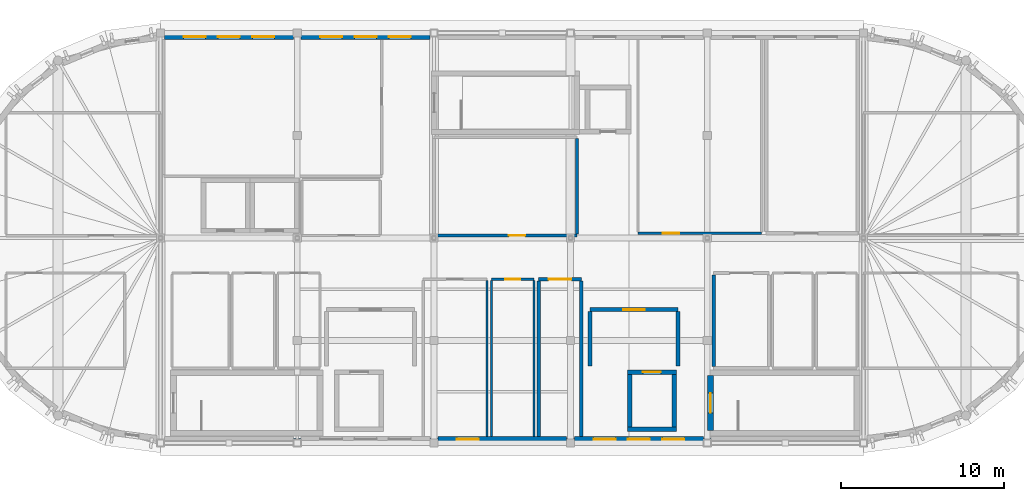
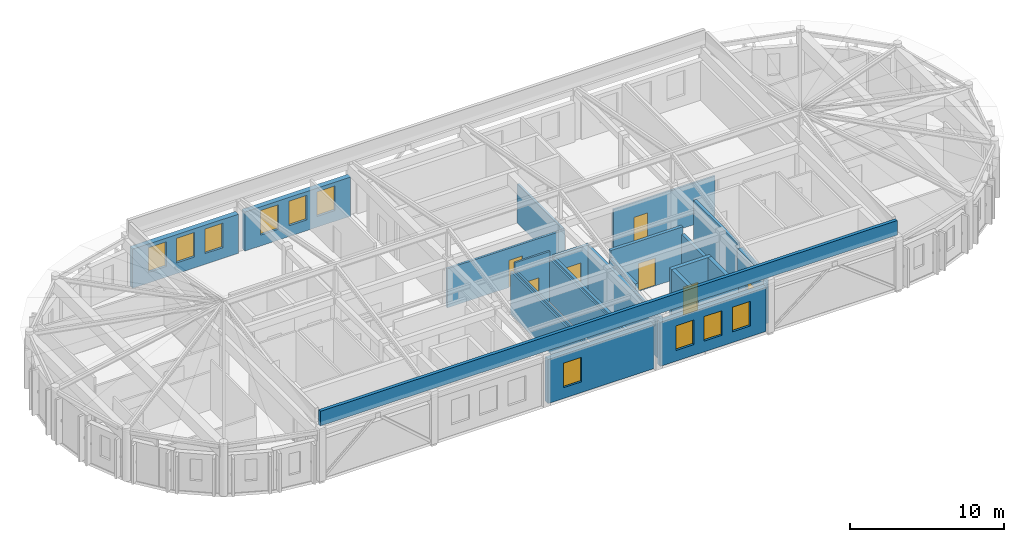
# One storey, part 8 of 11: 24 walls, 10 windows, 7 doors, 17 openings.
"""IFC4 building model written with IfcOpenShell, lengths in metres."""

from ifc_helpers import new_model, si_unit, direction, frame, frame_2d, origin, place, context, subcontext, project, spatial, rectangle, extrude, material, layer, layer_set, type_object, element, fill, save


model = new_model("IFC4")

# Units and contexts
model_context = context("Model", 3, precision=1e-05, world=origin(), true_north=direction((0.0, 1.0)))
body_context = subcontext(model_context, "Body", "Model", "MODEL_VIEW")
ifc_project = project(units=[si_unit("LENGTHUNIT", "METRE"), si_unit("AREAUNIT", "SQUARE_METRE"), si_unit("VOLUMEUNIT", "CUBIC_METRE"), si_unit("PLANEANGLEUNIT", "RADIAN"), si_unit("MASSUNIT", "GRAM", prefix="KILO")], contexts=[model_context])

# Site, building, storey
site_placement = place(None, origin())
site = spatial("IfcSite", under=ifc_project, at=site_placement, CompositionType="ELEMENT")
building_placement = place(site_placement, origin())
building = spatial("IfcBuilding", under=site, at=building_placement, Name="Tarnavel Promenade Courthouse", CompositionType="ELEMENT")
storey_placement = place(building_placement, frame((0.0, 0.0, 35.39990234375)))
storey = spatial("IfcBuildingStorey", under=building, at=storey_placement, Name="L09", CompositionType="ELEMENT", Elevation=35.39990234375)

# Wall, opening, door
ifc_material_1 = material(Name="Acoustic Insulated Gypsum Stud Partition", Category="gypsum")
ifc_layer_1 = layer(ifc_material_1, 0.1650390625)
ifc_layer_set_1 = layer_set([ifc_layer_1], Name="Acoustic Insulated Gypsum Stud Partition")
wall_type_1 = type_object("IfcWallType", Name="Acoustic Insulated Gypsum Stud Partition WL-CHM-165 (165 mm)", PredefinedType="PARTITIONING", material=ifc_layer_set_1)
wall_1_placement = place(storey_placement, frame((84.39990234375, 91.949951171875, 0.0), z_axis=(0.0, 0.0, 1.0), x_axis=(-1.0, 0.0, 0.0)))
wall_1 = element("IfcWall", 1, at=wall_1_placement, inside=storey, type_object=wall_type_1, Name="L09 L09 Judicial Panel Deliberation Salon Partition 1027", PredefinedType="PARTITIONING", context=body_context, shape_type="SweptSolid", body=[
    extrude(rectangle(XDim=8.7998046875, YDim=0.1650390625, at=frame_2d((4.39990234375, 0.0))), origin(), (0.0, 0.0, 1.0), 3.09521484375),
])
opening_1_placement = place(wall_1_placement, frame((3.18994140625, 0.0, 0.0)))
opening_1 = element("IfcOpeningElement", 2, at=opening_1_placement, cuts=wall_1, Name="Opening ID-03", PredefinedType="OPENING", context=body_context, shape_type="SweptSolid", body=[
    extrude(rectangle(XDim=1.0, YDim=2.14990234375, at=frame_2d((0.5, 1.074951171875))), frame((0.0, 0.092529296875, 0.0), z_axis=(0.0, -1.0, 0.0), x_axis=(1.0, 0.0, 0.0)), (0.0, 0.0, 1.0), 0.18505859375),
])
ifc_material_2 = material(Name="Acoustic Solid-Core Oak Jury Room Door")
door_type_1 = type_object("IfcDoorType", Name="Acoustic Solid-Core Oak Jury Room Door (DR-JRY-1000x2150)", OperationType="NOTDEFINED", PredefinedType="DOOR", material=ifc_material_2)
door_1_placement = place(opening_1_placement, origin())
door_1 = element("IfcDoor", 3, at=door_1_placement, inside=storey, type_object=door_type_1, Name="L09 L09 Judicial Panel Deliberation Salon Door 0292", OperationType="SINGLE_SWING_LEFT", OverallHeight=2.14990234375, OverallWidth=1.0, PredefinedType="DOOR", context=body_context, shape_type="SweptSolid", body=[
    extrude(rectangle(XDim=1.0, YDim=2.14990234375, at=frame_2d((0.5, 1.074951171875))), frame((0.0, 0.02490234375, 0.0), z_axis=(0.0, -1.0, 0.0), x_axis=(1.0, 0.0, 0.0)), (0.0, 0.0, 1.0), 0.050048828125),
])
fill(opening_1, door_1)

# Wall
wall_2_placement = place(storey_placement, frame((84.39990234375, 97.907470703125, 0.0), z_axis=(0.0, 0.0, 1.0), x_axis=(0.0, -1.0, 0.0)))
element("IfcWall", 4, at=wall_2_placement, inside=storey, type_object=wall_type_1, Name="L09 L09 Judicial Panel Deliberation Salon Partition 1029", PredefinedType="PARTITIONING", context=body_context, shape_type="SweptSolid", body=[
    extrude(rectangle(XDim=5.864990234375, YDim=0.1650390625, at=frame_2d((2.9326171875, 0.0))), origin(), (0.0, 0.0, 1.0), 3.09521484375),
])

# Wall, opening, door
ifc_material_3 = material(Name="Concrete C40/50", Category="concrete")
ifc_layer_2 = layer(ifc_material_3, 0.280029296875)
ifc_layer_set_2 = layer_set([ifc_layer_2], Name="Concrete C40/50")
wall_type_2 = type_object("IfcWallType", Name="Concrete C40/50 WL-SHR-280 (280 mm)", PredefinedType="SHEAR", material=ifc_layer_set_2)
wall_3_placement = place(storey_placement, frame((87.5, 83.56005859375, 0.0), z_axis=(0.0, 0.0, 1.0), x_axis=(1.0, 0.0, 0.0)))
wall_3 = element("IfcWall", 5, at=wall_3_placement, inside=storey, type_object=wall_type_2, Name="L09 L-FF2 Lift Shaft North Wall", PredefinedType="SHEAR", context=body_context, shape_type="SweptSolid", body=[
    extrude(rectangle(XDim=3.0, YDim=0.280029296875, at=frame_2d((1.5, 0.0))), origin(), (0.0, 0.0, 1.0), 3.97998046875),
])
opening_2_placement = place(wall_3_placement, frame((0.949951171875, 0.0, 0.0)))
opening_2 = element("IfcOpeningElement", 6, at=opening_2_placement, cuts=wall_3, Name="Opening LD-01", PredefinedType="OPENING", context=body_context, shape_type="SweptSolid", body=[
    extrude(rectangle(XDim=1.10009765625, YDim=2.199951171875, at=frame_2d((0.550048828125, 1.10009765625))), frame((0.0, 0.14990234375, 0.0), z_axis=(0.0, -1.0, 0.0), x_axis=(1.0, 0.0, 0.0)), (0.0, 0.0, 1.0), 0.300048828125),
])
ifc_material_4 = material(Name="Stainless Steel Firefighting Lift Landing Sliding Door", Category="steel")
door_type_2 = type_object("IfcDoorType", Name="Stainless Steel Firefighting Lift Landing Sliding Door (LD-FF-1100x2200)", OperationType="NOTDEFINED", PredefinedType="DOOR", material=ifc_material_4)
door_2_placement = place(opening_2_placement, origin())
door_2 = element("IfcDoor", 7, at=door_2_placement, inside=storey, type_object=door_type_2, Name="L09 L-FF2 Lift Sliding Landing Door", OperationType="DOUBLE_DOOR_SLIDING", OverallHeight=2.199951171875, OverallWidth=1.10009765625, PredefinedType="DOOR", context=body_context, shape_type="SweptSolid", body=[
    extrude(rectangle(XDim=1.10009765625, YDim=2.199951171875, at=frame_2d((0.550048828125, 1.10009765625))), frame((0.0, 0.02490234375, 0.0), z_axis=(0.0, -1.0, 0.0), x_axis=(1.0, 0.0, 0.0)), (0.0, 0.0, 1.0), 0.050048828125),
])
fill(opening_2, door_2)

# Walls
wall_4_placement = place(storey_placement, frame((90.5, 80.0400390625, 0.0), z_axis=(0.0, 0.0, 1.0), x_axis=(-1.0, 0.0, 0.0)))
element("IfcWall", 8, at=wall_4_placement, inside=storey, type_object=wall_type_2, Name="L09 L-FF2 Lift Shaft South Wall", PredefinedType="SHEAR", context=body_context, shape_type="SweptSolid", body=[
    extrude(rectangle(XDim=3.0, YDim=0.280029296875, at=frame_2d((1.5, 0.0))), origin(), (0.0, 0.0, 1.0), 3.97998046875),
])
for number, where, z_axis, x_axis, name in (
    (9, (87.639892578125, 80.179931640625, 0.0), (0.0, 0.0, 1.0), (0.0, 1.0, 0.0), "L09 L-FF2 Lift Shaft West Wall"),
    (10, (90.360107421875, 83.419921875, 0.0), (0.0, 0.0, 1.0), (0.0, -1.0, 0.0), "L09 L-FF2 Lift Shaft East Wall"),
):
    element("IfcWall", number, at=place(storey_placement, frame(where, z_axis=z_axis, x_axis=x_axis)), inside=storey, type_object=wall_type_2, Name=name, PredefinedType="SHEAR", context=body_context, shape_type="SweptSolid", body=[
        extrude(rectangle(XDim=3.239990234375, YDim=0.280029296875, at=frame_2d((1.6201171875, 0.0))), origin(), (0.0, 0.0, 1.0), 3.97998046875),
    ])

# Wall, opening, door
ifc_layer_3 = layer(ifc_material_3, 0.360107421875)
ifc_layer_set_3 = layer_set([ifc_layer_3], Name="Concrete C40/50")
wall_type_3 = type_object("IfcWallType", Name="Concrete C40/50 WL-SHR-360 (360 mm)", PredefinedType="SHEAR", material=ifc_layer_set_3)
wall_5_placement = place(storey_placement, frame((92.60009765625, 79.97998046875, 0.0), z_axis=(0.0, 0.0, 1.0), x_axis=(0.0, 1.0, 0.0)))
wall_5 = element("IfcWall", 11, at=wall_5_placement, inside=storey, type_object=wall_type_3, Name="L09 ST-02 Shear Core West Landing Wall", PredefinedType="SHEAR", context=body_context, shape_type="SweptSolid", body=[
    extrude(rectangle(XDim=3.360107421875, YDim=0.360107421875, at=frame_2d((1.68017578125, 0.0))), origin(), (0.0, 0.0, 1.0), 3.97998046875),
])
opening_3_placement = place(wall_5_placement, frame((1.080078125, 0.0, 0.0)))
opening_3 = element("IfcOpeningElement", 12, at=opening_3_placement, cuts=wall_5, Name="Opening FD-02", PredefinedType="OPENING", context=body_context, shape_type="SweptSolid", body=[
    extrude(rectangle(XDim=1.199951171875, YDim=2.199951171875, at=frame_2d((0.60009765625, 1.10009765625))), frame((0.0, 0.18994140625, 0.0), z_axis=(0.0, -1.0, 0.0), x_axis=(1.0, 0.0, 0.0)), (0.0, 0.0, 1.0), 0.380126953125),
])
ifc_material_5 = material(Name="Steel Fire-Rated Firefighting Stair Door", Category="steel")
door_type_3 = type_object("IfcDoorType", Name="Steel Fire-Rated Firefighting Stair Door (DR-ST-1200x2200)", OperationType="NOTDEFINED", PredefinedType="DOOR", material=ifc_material_5)
door_3_placement = place(opening_3_placement, origin())
door_3 = element("IfcDoor", 13, at=door_3_placement, inside=storey, type_object=door_type_3, Name="L09 ST-02 Protected Exit Stair Door", OperationType="SINGLE_SWING_LEFT", OverallHeight=2.199951171875, OverallWidth=1.199951171875, PredefinedType="DOOR", context=body_context, shape_type="SweptSolid", body=[
    extrude(rectangle(XDim=1.199951171875, YDim=2.199951171875, at=frame_2d((0.60009765625, 1.10009765625))), frame((0.0, 0.02490234375, 0.0), z_axis=(0.0, -1.0, 0.0), x_axis=(1.0, 0.0, 0.0)), (0.0, 0.0, 1.0), 0.050048828125),
])
fill(opening_3, door_3)

# Wall
ifc_material_6 = material(Name="Concrete Masonry Fire Compartment Wall", Category="masonry")
ifc_layer_4 = layer(ifc_material_6, 0.205078125)
ifc_layer_set_4 = layer_set([ifc_layer_4], Name="Concrete Masonry Fire Compartment Wall")
wall_type_4 = type_object("IfcWallType", Name="Concrete Masonry Fire Compartment Wall WL-CMP-205 (205 mm)", PredefinedType="STANDARD", material=ifc_layer_set_4)
wall_6_placement = place(storey_placement, frame((92.800048828125, 83.91259765625, 0.0), z_axis=(0.0, 0.0, 1.0), x_axis=(0.0, 1.0, 0.0)))
element("IfcWall", 14, at=wall_6_placement, inside=storey, type_object=wall_type_4, Name="L09 L09 Court Transcript Records Room Partition 1017", PredefinedType="STANDARD", context=body_context, shape_type="SweptSolid", body=[
    extrude(rectangle(XDim=5.625, YDim=0.205078125, at=frame_2d((2.8125, 0.0))), origin(), (0.0, 0.0, 1.0), 3.9501953125),
])

# Wall, opening, door
wall_7_placement = place(storey_placement, frame((82.037109375, 89.260009765625, 0.0), z_axis=(0.0, 0.0, 1.0), x_axis=(1.0, 0.0, 0.0)))
wall_7 = element("IfcWall", 15, at=wall_7_placement, inside=storey, type_object=wall_type_4, Name="L09 Upper Heat-Recovery Plant Room East Partition 1042", PredefinedType="STANDARD", context=body_context, shape_type="SweptSolid", body=[
    extrude(rectangle(XDim=2.622802734375, YDim=0.205078125, at=frame_2d((1.3115234375, 0.0))), origin(), (0.0, 0.0, 1.0), 3.4951171875),
])
opening_4_placement = place(wall_7_placement, frame((0.611572265625, 0.0, 0.0)))
opening_4 = element("IfcOpeningElement", 16, at=opening_4_placement, cuts=wall_7, Name="Opening FD-04", PredefinedType="OPENING", context=body_context, shape_type="SweptSolid", body=[
    extrude(rectangle(XDim=1.39990234375, YDim=2.25, at=frame_2d((0.699951171875, 1.125))), frame((0.0, 0.112548828125, 0.0), z_axis=(0.0, -1.0, 0.0), x_axis=(1.0, 0.0, 0.0)), (0.0, 0.0, 1.0), 0.22509765625),
])
ifc_material_7 = material(Name="Heavy Steel Plant Room Fire Door", Category="steel")
door_type_4 = type_object("IfcDoorType", Name="Heavy Steel Plant Room Fire Door (DR-PLT-1400x2250)", OperationType="NOTDEFINED", PredefinedType="DOOR", material=ifc_material_7)
door_4_placement = place(opening_4_placement, origin())
door_4 = element("IfcDoor", 17, at=door_4_placement, inside=storey, type_object=door_type_4, Name="L09 Upper Heat-Recovery Plant Room East Door 0297", OperationType="SINGLE_SWING_RIGHT", OverallHeight=2.25, OverallWidth=1.39990234375, PredefinedType="DOOR", context=body_context, shape_type="SweptSolid", body=[
    extrude(rectangle(XDim=1.39990234375, YDim=2.25, at=frame_2d((0.699951171875, 1.125))), frame((0.0, 0.02490234375, 0.0), z_axis=(0.0, -1.0, 0.0), x_axis=(1.0, 0.0, 0.0)), (0.0, 0.0, 1.0), 0.050048828125),
])
fill(opening_4, door_4)

# Walls
for number, where, z_axis, x_axis, name in (
    (18, (82.037109375, 79.60400390625, 0.0), (0.0, 0.0, 1.0), (0.0, 1.0, 0.0), "L09 Upper Heat-Recovery Plant Room East Partition 1043"),
    (19, (84.659912109375, 89.1474609375, 0.0), (0.0, 0.0, 1.0), (0.0, -1.0, 0.0), "L09 Upper Heat-Recovery Plant Room East Partition 1044"),
):
    element("IfcWall", number, at=place(storey_placement, frame(where, z_axis=z_axis, x_axis=x_axis)), inside=storey, type_object=wall_type_4, Name=name, PredefinedType="STANDARD", context=body_context, shape_type="SweptSolid", body=[
        extrude(rectangle(XDim=9.54345703125, YDim=0.205078125, at=frame_2d((4.771728515625, 0.0))), origin(), (0.0, 0.0, 1.0), 3.39501953125),
    ])

# Wall, opening, door
ifc_layer_5 = layer(ifc_material_6, 0.22998046875)
ifc_layer_set_5 = layer_set([ifc_layer_5], Name="Concrete Masonry Fire Compartment Wall")
wall_type_5 = type_object("IfcWallType", Name="Concrete Masonry Fire Compartment Wall WL-CMP-230 (230 mm)", PredefinedType="STANDARD", material=ifc_layer_set_5)
wall_8_placement = place(storey_placement, frame((85.199951171875, 87.39990234375, 0.0), z_axis=(0.0, 0.0, 1.0), x_axis=(1.0, 0.0, 0.0)))
wall_8 = element("IfcWall", 20, at=wall_8_placement, inside=storey, type_object=wall_type_5, Name="L09 Firefighting Lobby L-FF2 Partition 0992", PredefinedType="STANDARD", context=body_context, shape_type="SweptSolid", body=[
    extrude(rectangle(XDim=5.400146484375, YDim=0.22998046875, at=frame_2d((2.7001953125, 0.0))), origin(), (0.0, 0.0, 1.0), 3.9501953125),
])
opening_5_placement = place(wall_8_placement, frame((2.050048828125, 0.0, 0.0)))
opening_5 = element("IfcOpeningElement", 21, at=opening_5_placement, cuts=wall_8, Name="Opening FD-03", PredefinedType="OPENING", context=body_context, shape_type="SweptSolid", body=[
    extrude(rectangle(XDim=1.300048828125, YDim=2.199951171875, at=frame_2d((0.64990234375, 1.10009765625))), frame((0.0, 0.125, 0.0), z_axis=(0.0, -1.0, 0.0), x_axis=(1.0, 0.0, 0.0)), (0.0, 0.0, 1.0), 0.25),
])
ifc_material_8 = material(Name="Smoke-Sealed Firefighting Lobby Fire Door")
door_type_5 = type_object("IfcDoorType", Name="Smoke-Sealed Firefighting Lobby Fire Door (DR-FFL-1300x2200)", OperationType="NOTDEFINED", PredefinedType="DOOR", material=ifc_material_8)
door_5_placement = place(opening_5_placement, origin())
door_5 = element("IfcDoor", 22, at=door_5_placement, inside=storey, type_object=door_type_5, Name="L09 Firefighting Lobby L-FF2 Door 0283", OperationType="SINGLE_SWING_RIGHT", OverallHeight=2.199951171875, OverallWidth=1.300048828125, PredefinedType="DOOR", context=body_context, shape_type="SweptSolid", body=[
    extrude(rectangle(XDim=1.300048828125, YDim=2.199951171875, at=frame_2d((0.64990234375, 1.10009765625))), frame((0.0, 0.02490234375, 0.0), z_axis=(0.0, -1.0, 0.0), x_axis=(1.0, 0.0, 0.0)), (0.0, 0.0, 1.0), 0.050048828125),
])
fill(opening_5, door_5)

# Walls
for number, where, z_axis, x_axis, name in (
    (23, (85.199951171875, 83.925048828125, 0.0), (0.0, 0.0, 1.0), (0.0, 1.0, 0.0), "L09 Firefighting Lobby L-FF2 Partition 0993"),
    (24, (90.60009765625, 87.27490234375, 0.0), (0.0, 0.0, 1.0), (0.0, -1.0, 0.0), "L09 Firefighting Lobby L-FF2 Partition 0994"),
):
    element("IfcWall", number, at=place(storey_placement, frame(where, z_axis=z_axis, x_axis=x_axis)), inside=storey, type_object=wall_type_5, Name=name, PredefinedType="STANDARD", context=body_context, shape_type="SweptSolid", body=[
        extrude(rectangle(XDim=3.349853515625, YDim=0.22998046875, at=frame_2d((1.6748046875, 0.0))), origin(), (0.0, 0.0, 1.0), 3.39501953125),
    ])

# Wall, openings, windows
ifc_material_9 = material(Name="Cream Brick Insulated Cavity Facade Assembly", Category="masonry")
ifc_layer_6 = layer(ifc_material_9, 0.3798828125)
ifc_layer_set_6 = layer_set([ifc_layer_6], Name="Cream Brick Insulated Cavity Facade Assembly")
wall_type_6 = type_object("IfcWallType", Name="Cream Brick Insulated Cavity Facade Assembly WL-EXT-380 (380 mm)", PredefinedType="STANDARD", material=ifc_layer_set_6)
wall_9_placement = place(storey_placement, frame((59.037109375, 104.179931640625, 0.0), z_axis=(0.0, 0.0, 1.0), x_axis=(1.0, 0.0, 0.0)))
wall_9 = element("IfcWall", 25, at=wall_9_placement, inside=storey, type_object=wall_type_6, Name="L09 Bar North Limestone Facade 0238", PredefinedType="STANDARD", context=body_context, shape_type="SweptSolid", body=[
    extrude(rectangle(XDim=7.9208984375, YDim=0.3798828125, at=frame_2d((3.96044921875, 0.0))), origin(), (0.0, 0.0, 1.0), 3.09521484375),
])
opening_6_placement = place(wall_9_placement, frame((1.1748046875, 0.0, 0.85009765625)))
opening_6 = element("IfcOpeningElement", 26, at=opening_6_placement, cuts=wall_9, Name="Opening W-04", PredefinedType="OPENING", context=body_context, shape_type="SweptSolid", body=[
    extrude(rectangle(XDim=1.35009765625, YDim=1.949951171875, at=frame_2d((0.675048828125, 0.97509765625))), frame((0.0, 0.199951171875, 0.0), z_axis=(0.0, -1.0, 0.0), x_axis=(1.0, 0.0, 0.0)), (0.0, 0.0, 1.0), 0.39990234375),
])
opening_7_placement = place(wall_9_placement, frame((3.2880859375, 0.0, 0.85009765625)))
opening_7 = element("IfcOpeningElement", 27, at=opening_7_placement, cuts=wall_9, Name="Opening W-04", PredefinedType="OPENING", context=body_context, shape_type="SweptSolid", body=[
    extrude(rectangle(XDim=1.35009765625, YDim=1.949951171875, at=frame_2d((0.675048828125, 0.97509765625))), frame((0.0, 0.199951171875, 0.0), z_axis=(0.0, -1.0, 0.0), x_axis=(1.0, 0.0, 0.0)), (0.0, 0.0, 1.0), 0.39990234375),
])
opening_8_placement = place(wall_9_placement, frame((5.4013671875, 0.0, 0.85009765625)))
opening_8 = element("IfcOpeningElement", 28, at=opening_8_placement, cuts=wall_9, Name="Opening W-04", PredefinedType="OPENING", context=body_context, shape_type="SweptSolid", body=[
    extrude(rectangle(XDim=1.35009765625, YDim=1.949951171875, at=frame_2d((0.675048828125, 0.97509765625))), frame((0.0, 0.199951171875, 0.0), z_axis=(0.0, -1.0, 0.0), x_axis=(1.0, 0.0, 0.0)), (0.0, 0.0, 1.0), 0.39990234375),
])
ifc_material_10 = material(Name="Triple Low-E Glazed Bronze-Clad Window Assembly")
window_type = type_object("IfcWindowType", Name="Triple-Glazed Bronze-Clad Timber-Aluminium WIN-CHM-1350x1950", PartitioningType="SINGLE_PANEL", PredefinedType="WINDOW", material=ifc_material_10)
window_1_placement = place(opening_6_placement, origin())
window_1 = element("IfcWindow", 29, at=window_1_placement, inside=storey, type_object=window_type, Name="L09 Exterior Window 0199", OverallHeight=1.949951171875, OverallWidth=1.35009765625, PartitioningType="SINGLE_PANEL", PredefinedType="WINDOW", context=body_context, shape_type="SweptSolid", body=[
    extrude(rectangle(XDim=1.35009765625, YDim=1.949951171875, at=frame_2d((0.675048828125, 0.97509765625))), frame((0.0, 0.030029296875, 0.0), z_axis=(0.0, -1.0, 0.0), x_axis=(1.0, 0.0, 0.0)), (0.0, 0.0, 1.0), 0.06005859375),
])
fill(opening_6, window_1)
window_2_placement = place(opening_7_placement, origin())
window_2 = element("IfcWindow", 30, at=window_2_placement, inside=storey, type_object=window_type, Name="L09 Exterior Window 0200", OverallHeight=1.949951171875, OverallWidth=1.35009765625, PartitioningType="SINGLE_PANEL", PredefinedType="WINDOW", context=body_context, shape_type="SweptSolid", body=[
    extrude(rectangle(XDim=1.35009765625, YDim=1.949951171875, at=frame_2d((0.675048828125, 0.97509765625))), frame((0.0, 0.030029296875, 0.0), z_axis=(0.0, -1.0, 0.0), x_axis=(1.0, 0.0, 0.0)), (0.0, 0.0, 1.0), 0.06005859375),
])
fill(opening_7, window_2)
window_3_placement = place(opening_8_placement, origin())
window_3 = element("IfcWindow", 31, at=window_3_placement, inside=storey, type_object=window_type, Name="L09 Exterior Window 0201", OverallHeight=1.949951171875, OverallWidth=1.35009765625, PartitioningType="SINGLE_PANEL", PredefinedType="WINDOW", context=body_context, shape_type="SweptSolid", body=[
    extrude(rectangle(XDim=1.35009765625, YDim=1.949951171875, at=frame_2d((0.675048828125, 0.97509765625))), frame((0.0, 0.030029296875, 0.0), z_axis=(0.0, -1.0, 0.0), x_axis=(1.0, 0.0, 0.0)), (0.0, 0.0, 1.0), 0.06005859375),
])
fill(opening_8, window_3)

wall_10_placement = place(storey_placement, frame((67.44189453125, 104.179931640625, 0.0), z_axis=(0.0, 0.0, 1.0), x_axis=(1.0, 0.0, 0.0)))
wall_10 = element("IfcWall", 32, at=wall_10_placement, inside=storey, type_object=wall_type_6, Name="L09 Bar North Limestone Facade 0239", PredefinedType="STANDARD", context=body_context, shape_type="SweptSolid", body=[
    extrude(rectangle(XDim=7.916015625, YDim=0.3798828125, at=frame_2d((3.9580078125, 0.0))), origin(), (0.0, 0.0, 1.0), 3.09521484375),
])
opening_9_placement = place(wall_10_placement, frame((1.169677734375, 0.0, 0.85009765625)))
opening_9 = element("IfcOpeningElement", 33, at=opening_9_placement, cuts=wall_10, Name="Opening W-04", PredefinedType="OPENING", context=body_context, shape_type="SweptSolid", body=[
    extrude(rectangle(XDim=1.35009765625, YDim=1.949951171875, at=frame_2d((0.675048828125, 0.97509765625))), frame((0.0, 0.199951171875, 0.0), z_axis=(0.0, -1.0, 0.0), x_axis=(1.0, 0.0, 0.0)), (0.0, 0.0, 1.0), 0.39990234375),
])
opening_10_placement = place(wall_10_placement, frame((3.282958984375, 0.0, 0.85009765625)))
opening_10 = element("IfcOpeningElement", 34, at=opening_10_placement, cuts=wall_10, Name="Opening W-04", PredefinedType="OPENING", context=body_context, shape_type="SweptSolid", body=[
    extrude(rectangle(XDim=1.35009765625, YDim=1.949951171875, at=frame_2d((0.675048828125, 0.97509765625))), frame((0.0, 0.199951171875, 0.0), z_axis=(0.0, -1.0, 0.0), x_axis=(1.0, 0.0, 0.0)), (0.0, 0.0, 1.0), 0.39990234375),
])
opening_11_placement = place(wall_10_placement, frame((5.396240234375, 0.0, 0.85009765625)))
opening_11 = element("IfcOpeningElement", 35, at=opening_11_placement, cuts=wall_10, Name="Opening W-04", PredefinedType="OPENING", context=body_context, shape_type="SweptSolid", body=[
    extrude(rectangle(XDim=1.35009765625, YDim=1.949951171875, at=frame_2d((0.675048828125, 0.97509765625))), frame((0.0, 0.199951171875, 0.0), z_axis=(0.0, -1.0, 0.0), x_axis=(1.0, 0.0, 0.0)), (0.0, 0.0, 1.0), 0.39990234375),
])
window_4_placement = place(opening_9_placement, origin())
window_4 = element("IfcWindow", 36, at=window_4_placement, inside=storey, type_object=window_type, Name="L09 Exterior Window 0202", OverallHeight=1.949951171875, OverallWidth=1.35009765625, PartitioningType="SINGLE_PANEL", PredefinedType="WINDOW", context=body_context, shape_type="SweptSolid", body=[
    extrude(rectangle(XDim=1.35009765625, YDim=1.949951171875, at=frame_2d((0.675048828125, 0.97509765625))), frame((0.0, 0.030029296875, 0.0), z_axis=(0.0, -1.0, 0.0), x_axis=(1.0, 0.0, 0.0)), (0.0, 0.0, 1.0), 0.06005859375),
])
fill(opening_9, window_4)
window_5_placement = place(opening_10_placement, origin())
window_5 = element("IfcWindow", 37, at=window_5_placement, inside=storey, type_object=window_type, Name="L09 Exterior Window 0203", OverallHeight=1.949951171875, OverallWidth=1.35009765625, PartitioningType="SINGLE_PANEL", PredefinedType="WINDOW", context=body_context, shape_type="SweptSolid", body=[
    extrude(rectangle(XDim=1.35009765625, YDim=1.949951171875, at=frame_2d((0.675048828125, 0.97509765625))), frame((0.0, 0.030029296875, 0.0), z_axis=(0.0, -1.0, 0.0), x_axis=(1.0, 0.0, 0.0)), (0.0, 0.0, 1.0), 0.06005859375),
])
fill(opening_10, window_5)
window_6_placement = place(opening_11_placement, origin())
window_6 = element("IfcWindow", 38, at=window_6_placement, inside=storey, type_object=window_type, Name="L09 Exterior Window 0204", OverallHeight=1.949951171875, OverallWidth=1.35009765625, PartitioningType="SINGLE_PANEL", PredefinedType="WINDOW", context=body_context, shape_type="SweptSolid", body=[
    extrude(rectangle(XDim=1.35009765625, YDim=1.949951171875, at=frame_2d((0.675048828125, 0.97509765625))), frame((0.0, 0.030029296875, 0.0), z_axis=(0.0, -1.0, 0.0), x_axis=(1.0, 0.0, 0.0)), (0.0, 0.0, 1.0), 0.06005859375),
])
fill(opening_11, window_6)

# Wall, opening, window
wall_11_placement = place(storey_placement, frame((83.758056640625, 79.419921875, 0.0), z_axis=(0.0, 0.0, 1.0), x_axis=(-1.0, 0.0, 0.0)))
wall_11 = element("IfcWall", 39, at=wall_11_placement, inside=storey, type_object=wall_type_6, Name="L09 Bar South Limestone Facade 0245", PredefinedType="STANDARD", context=body_context, shape_type="SweptSolid", body=[
    extrude(rectangle(XDim=7.916015625, YDim=0.3798828125, at=frame_2d((3.9580078125, 0.0))), origin(), (0.0, 0.0, 1.0), 3.4951171875),
])
opening_12_placement = place(wall_11_placement, frame((5.396240234375, 0.0, 0.85009765625)))
opening_12 = element("IfcOpeningElement", 40, at=opening_12_placement, cuts=wall_11, Name="Opening W-04", PredefinedType="OPENING", context=body_context, shape_type="SweptSolid", body=[
    extrude(rectangle(XDim=1.35009765625, YDim=1.949951171875, at=frame_2d((0.675048828125, 0.97509765625))), frame((0.0, 0.199951171875, 0.0), z_axis=(0.0, -1.0, 0.0), x_axis=(1.0, 0.0, 0.0)), (0.0, 0.0, 1.0), 0.39990234375),
])
window_7_placement = place(opening_12_placement, origin())
window_7 = element("IfcWindow", 41, at=window_7_placement, inside=storey, type_object=window_type, Name="L09 Exterior Window 0213", OverallHeight=1.949951171875, OverallWidth=1.35009765625, PartitioningType="SINGLE_PANEL", PredefinedType="WINDOW", context=body_context, shape_type="SweptSolid", body=[
    extrude(rectangle(XDim=1.35009765625, YDim=1.949951171875, at=frame_2d((0.675048828125, 0.97509765625))), frame((0.0, 0.030029296875, 0.0), z_axis=(0.0, -1.0, 0.0), x_axis=(1.0, 0.0, 0.0)), (0.0, 0.0, 1.0), 0.06005859375),
])
fill(opening_12, window_7)

# Wall, openings, windows
wall_12_placement = place(storey_placement, frame((92.157958984375, 79.419921875, 0.0), z_axis=(0.0, 0.0, 1.0), x_axis=(-1.0, 0.0, 0.0)))
wall_12 = element("IfcWall", 42, at=wall_12_placement, inside=storey, type_object=wall_type_6, Name="L09 Bar South Limestone Facade 0246", PredefinedType="STANDARD", context=body_context, shape_type="SweptSolid", body=[
    extrude(rectangle(XDim=7.916015625, YDim=0.3798828125, at=frame_2d((3.9580078125, 0.0))), origin(), (0.0, 0.0, 1.0), 3.4951171875),
])
opening_13_placement = place(wall_12_placement, frame((1.169677734375, 0.0, 0.85009765625)))
opening_13 = element("IfcOpeningElement", 43, at=opening_13_placement, cuts=wall_12, Name="Opening W-04", PredefinedType="OPENING", context=body_context, shape_type="SweptSolid", body=[
    extrude(rectangle(XDim=1.35009765625, YDim=1.949951171875, at=frame_2d((0.675048828125, 0.97509765625))), frame((0.0, 0.199951171875, 0.0), z_axis=(0.0, -1.0, 0.0), x_axis=(1.0, 0.0, 0.0)), (0.0, 0.0, 1.0), 0.39990234375),
])
opening_14_placement = place(wall_12_placement, frame((3.282958984375, 0.0, 0.85009765625)))
opening_14 = element("IfcOpeningElement", 44, at=opening_14_placement, cuts=wall_12, Name="Opening W-04", PredefinedType="OPENING", context=body_context, shape_type="SweptSolid", body=[
    extrude(rectangle(XDim=1.35009765625, YDim=1.949951171875, at=frame_2d((0.675048828125, 0.97509765625))), frame((0.0, 0.199951171875, 0.0), z_axis=(0.0, -1.0, 0.0), x_axis=(1.0, 0.0, 0.0)), (0.0, 0.0, 1.0), 0.39990234375),
])
opening_15_placement = place(wall_12_placement, frame((5.396240234375, 0.0, 0.85009765625)))
opening_15 = element("IfcOpeningElement", 45, at=opening_15_placement, cuts=wall_12, Name="Opening W-04", PredefinedType="OPENING", context=body_context, shape_type="SweptSolid", body=[
    extrude(rectangle(XDim=1.35009765625, YDim=1.949951171875, at=frame_2d((0.675048828125, 0.97509765625))), frame((0.0, 0.199951171875, 0.0), z_axis=(0.0, -1.0, 0.0), x_axis=(1.0, 0.0, 0.0)), (0.0, 0.0, 1.0), 0.39990234375),
])
window_8_placement = place(opening_13_placement, origin())
window_8 = element("IfcWindow", 46, at=window_8_placement, inside=storey, type_object=window_type, Name="L09 Exterior Window 0214", OverallHeight=1.949951171875, OverallWidth=1.35009765625, PartitioningType="SINGLE_PANEL", PredefinedType="WINDOW", context=body_context, shape_type="SweptSolid", body=[
    extrude(rectangle(XDim=1.35009765625, YDim=1.949951171875, at=frame_2d((0.675048828125, 0.97509765625))), frame((0.0, 0.030029296875, 0.0), z_axis=(0.0, -1.0, 0.0), x_axis=(1.0, 0.0, 0.0)), (0.0, 0.0, 1.0), 0.06005859375),
])
fill(opening_13, window_8)
window_9_placement = place(opening_14_placement, origin())
window_9 = element("IfcWindow", 47, at=window_9_placement, inside=storey, type_object=window_type, Name="L09 Exterior Window 0215", OverallHeight=1.949951171875, OverallWidth=1.35009765625, PartitioningType="SINGLE_PANEL", PredefinedType="WINDOW", context=body_context, shape_type="SweptSolid", body=[
    extrude(rectangle(XDim=1.35009765625, YDim=1.949951171875, at=frame_2d((0.675048828125, 0.97509765625))), frame((0.0, 0.030029296875, 0.0), z_axis=(0.0, -1.0, 0.0), x_axis=(1.0, 0.0, 0.0)), (0.0, 0.0, 1.0), 0.06005859375),
])
fill(opening_14, window_9)
window_10_placement = place(opening_15_placement, origin())
window_10 = element("IfcWindow", 48, at=window_10_placement, inside=storey, type_object=window_type, Name="L09 Exterior Window 0216", OverallHeight=1.949951171875, OverallWidth=1.35009765625, PartitioningType="SINGLE_PANEL", PredefinedType="WINDOW", context=body_context, shape_type="SweptSolid", body=[
    extrude(rectangle(XDim=1.35009765625, YDim=1.949951171875, at=frame_2d((0.675048828125, 0.97509765625))), frame((0.0, 0.030029296875, 0.0), z_axis=(0.0, -1.0, 0.0), x_axis=(1.0, 0.0, 0.0)), (0.0, 0.0, 1.0), 0.06005859375),
])
fill(opening_15, window_10)

# Wall
ifc_material_11 = material(Name="Limestone Coping Parapet Wall Assembly", Category="masonry")
ifc_layer_7 = layer(ifc_material_11, 0.2451171875)
ifc_layer_set_7 = layer_set([ifc_layer_7], Name="Limestone Coping Parapet Wall Assembly")
wall_type_7 = type_object("IfcWallType", Name="Limestone Coping Parapet Wall Assembly WL-PAR-245 (245 mm)", PredefinedType="PARAPET", material=ifc_layer_set_7)
wall_13_placement = place(storey_placement, frame((102.0, 79.35009765625, 4.2001953125), z_axis=(0.0, 0.0, 1.0), x_axis=(-1.0, 0.0, 0.0)))
element("IfcWall", 49, at=wall_13_placement, inside=storey, type_object=wall_type_7, Name="L09 L09 Top Crown Perimeter Parapet South 0475", PredefinedType="PARAPET", context=body_context, shape_type="SweptSolid", body=[
    extrude(rectangle(XDim=43.199951171875, YDim=0.2451171875, at=frame_2d((21.60009765625, 0.0))), origin(), (0.0, 0.0, 1.0), 1.14990234375),
])

# Wall, opening, door
ifc_material_12 = material(Name="Metal-Stud Acoustic Gypsum Partition", Category="gypsum")
ifc_layer_8 = layer(ifc_material_12, 0.135009765625)
ifc_layer_set_8 = layer_set([ifc_layer_8], Name="Metal-Stud Acoustic Gypsum Partition")
wall_type_8 = type_object("IfcWallType", Name="Metal-Stud Acoustic Gypsum Partition WL-OFF-135 (135 mm)", PredefinedType="PARTITIONING", material=ifc_layer_set_8)
wall_14_placement = place(storey_placement, frame((95.74609375, 92.090087890625, 0.0), z_axis=(0.0, 0.0, 1.0), x_axis=(-1.0, 0.0, 0.0)))
wall_14 = element("IfcWall", 50, at=wall_14_placement, inside=storey, type_object=wall_type_8, Name="L09 Judicial Council Boardroom Partition 1030", PredefinedType="PARTITIONING", context=body_context, shape_type="SweptSolid", body=[
    extrude(rectangle(XDim=7.606201171875, YDim=0.135009765625, at=frame_2d((3.80322265625, 0.0))), origin(), (0.0, 0.0, 1.0), 3.295166015625),
])
opening_16_placement = place(wall_14_placement, frame((5.058837890625, 0.0, 0.0)))
opening_16 = element("IfcOpeningElement", 51, at=opening_16_placement, cuts=wall_14, Name="Opening ID-07", PredefinedType="OPENING", context=body_context, shape_type="SweptSolid", body=[
    extrude(rectangle(XDim=1.02001953125, YDim=2.14990234375, at=frame_2d((0.510009765625, 1.074951171875))), frame((0.0, 0.077392578125, 0.0), z_axis=(0.0, -1.0, 0.0), x_axis=(1.0, 0.0, 0.0)), (0.0, 0.0, 1.0), 0.155029296875),
])
ifc_material_13 = material(Name="Acoustic Timber Seminar Room Door", Category="wood")
door_type_6 = type_object("IfcDoorType", Name="Acoustic Timber Seminar Room Door (DR-MTG-1020x2150)", OperationType="NOTDEFINED", PredefinedType="DOOR", material=ifc_material_13)
door_6_placement = place(opening_16_placement, origin())
door_6 = element("IfcDoor", 52, at=door_6_placement, inside=storey, type_object=door_type_6, Name="L09 Judicial Council Boardroom Door 0293", OperationType="SINGLE_SWING_RIGHT", OverallHeight=2.14990234375, OverallWidth=1.02001953125, PredefinedType="DOOR", context=body_context, shape_type="SweptSolid", body=[
    extrude(rectangle(XDim=1.02001953125, YDim=2.14990234375, at=frame_2d((0.510009765625, 1.074951171875))), frame((0.0, 0.02490234375, 0.0), z_axis=(0.0, -1.0, 0.0), x_axis=(1.0, 0.0, 0.0)), (0.0, 0.0, 1.0), 0.050048828125),
])
fill(opening_16, door_6)

# Wall
wall_15_placement = place(storey_placement, frame((78.85400390625, 89.1826171875, 0.0), z_axis=(0.0, 0.0, 1.0), x_axis=(0.0, -1.0, 0.0)))
element("IfcWall", 53, at=wall_15_placement, inside=storey, type_object=wall_type_8, Name="L09 Judges' Dining and Collegium Banquet Hall Partition 1038", PredefinedType="PARTITIONING", context=body_context, shape_type="SweptSolid", body=[
    extrude(rectangle(XDim=9.57861328125, YDim=0.135009765625, at=frame_2d((4.789306640625, 0.0))), origin(), (0.0, 0.0, 1.0), 3.39501953125),
])

# Wall, opening, door
wall_16_placement = place(storey_placement, frame((79.134033203125, 89.260009765625, 0.0), z_axis=(0.0, 0.0, 1.0), x_axis=(1.0, 0.0, 0.0)))
wall_16 = element("IfcWall", 54, at=wall_16_placement, inside=storey, type_object=wall_type_8, Name="L09 Judges' Collegium Lounge Partition 1039", PredefinedType="PARTITIONING", context=body_context, shape_type="SweptSolid", body=[
    extrude(rectangle(XDim=2.623046875, YDim=0.135009765625, at=frame_2d((1.3115234375, 0.0))), origin(), (0.0, 0.0, 1.0), 3.9501953125),
])
opening_17_placement = place(wall_16_placement, frame((0.83642578125, 0.0, 0.0)))
opening_17 = element("IfcOpeningElement", 55, at=opening_17_placement, cuts=wall_16, Name="Opening ID-06", PredefinedType="OPENING", context=body_context, shape_type="SweptSolid", body=[
    extrude(rectangle(XDim=0.949951171875, YDim=2.14990234375, at=frame_2d((0.47509765625, 1.074951171875))), frame((0.0, 0.077392578125, 0.0), z_axis=(0.0, -1.0, 0.0), x_axis=(1.0, 0.0, 0.0)), (0.0, 0.0, 1.0), 0.155029296875),
])
ifc_material_14 = material(Name="Acoustic Timber Veneer Office Door", Category="wood")
door_type_7 = type_object("IfcDoorType", Name="Acoustic Timber Veneer Office Door (DR-OFF-0950x2150)", OperationType="NOTDEFINED", PredefinedType="DOOR", material=ifc_material_14)
door_7_placement = place(opening_17_placement, origin())
door_7 = element("IfcDoor", 56, at=door_7_placement, inside=storey, type_object=door_type_7, Name="L09 Judges' Collegium Lounge Door 0296", OperationType="SINGLE_SWING_LEFT", OverallHeight=2.14990234375, OverallWidth=0.949951171875, PredefinedType="DOOR", context=body_context, shape_type="SweptSolid", body=[
    extrude(rectangle(XDim=0.949951171875, YDim=2.14990234375, at=frame_2d((0.47509765625, 1.074951171875))), frame((0.0, 0.02490234375, 0.0), z_axis=(0.0, -1.0, 0.0), x_axis=(1.0, 0.0, 0.0)), (0.0, 0.0, 1.0), 0.050048828125),
])
fill(opening_17, door_7)

# Walls
for number, where, z_axis, x_axis, name in (
    (57, (79.134033203125, 79.60400390625, 0.0), (0.0, 0.0, 1.0), (0.0, 1.0, 0.0), "L09 Judges' Collegium Lounge Partition 1040"),
    (58, (81.757080078125, 89.1826171875, 0.0), (0.0, 0.0, 1.0), (0.0, -1.0, 0.0), "L09 Judges' Collegium Lounge Partition 1041"),
):
    element("IfcWall", number, at=place(storey_placement, frame(where, z_axis=z_axis, x_axis=x_axis)), inside=storey, type_object=wall_type_8, Name=name, PredefinedType="PARTITIONING", context=body_context, shape_type="SweptSolid", body=[
        extrude(rectangle(XDim=9.57861328125, YDim=0.135009765625, at=frame_2d((4.789306640625, 0.0))), origin(), (0.0, 0.0, 1.0), 3.39501953125),
    ])

save(model, "model.ifc")
